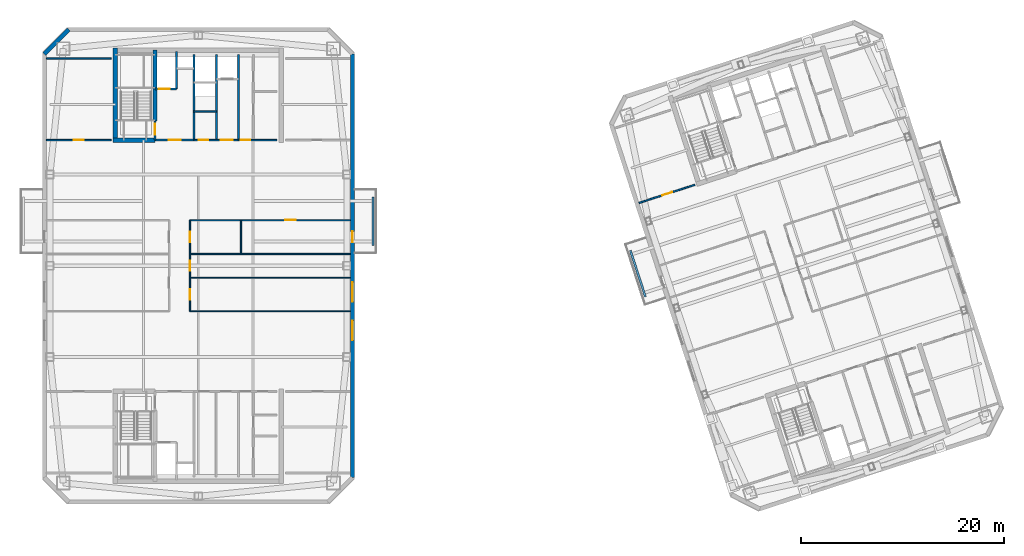
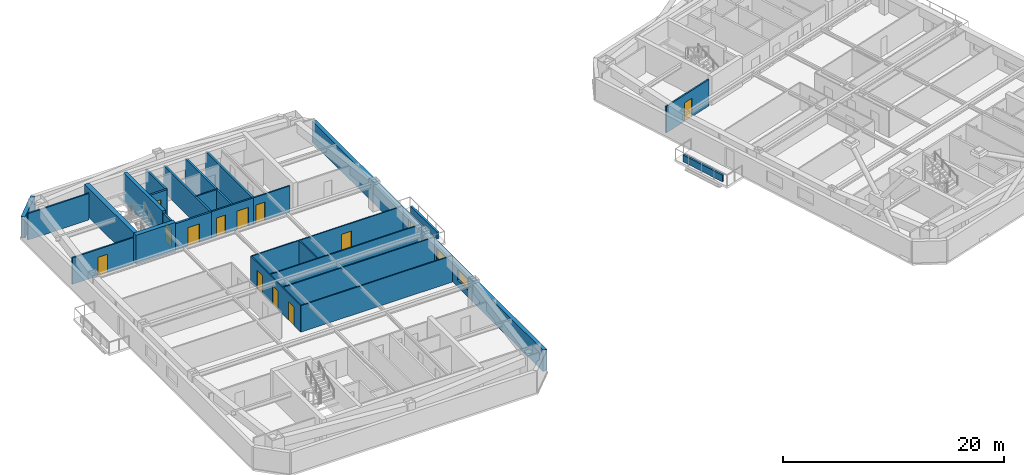
# One storey, part 7 of 16: 26 walls, 13 doors, 2 windows, 15 openings.
"""IFC4 building model written with IfcOpenShell, lengths in metres."""

from ifc_helpers import new_model, si_unit, direction, frame, frame_2d, origin, place, context, subcontext, project, spatial, rectangle, extrude, material, layer, layer_set, type_object, element, fill, save


model = new_model("IFC4")

# Units and contexts
model_context = context("Model", 3, precision=1e-05, world=origin(), true_north=direction((0.0, 1.0)))
body_context = subcontext(model_context, "Body", "Model", "MODEL_VIEW")
ifc_project = project(units=[si_unit("LENGTHUNIT", "METRE"), si_unit("AREAUNIT", "SQUARE_METRE"), si_unit("VOLUMEUNIT", "CUBIC_METRE"), si_unit("PLANEANGLEUNIT", "RADIAN"), si_unit("MASSUNIT", "GRAM", prefix="KILO")], contexts=[model_context])

# Site, building, storey
site_placement = place(None, origin())
site = spatial("IfcSite", under=ifc_project, at=site_placement, CompositionType="ELEMENT")
building_placement = place(site_placement, origin())
building = spatial("IfcBuilding", under=site, at=building_placement, Name="Qiaolan Cultural Towers", CompositionType="ELEMENT")
storey_placement = place(building_placement, frame((0.0, 0.0, 240.800048828125)))
storey = spatial("IfcBuildingStorey", under=building, at=storey_placement, Name="L65", CompositionType="ELEMENT", Elevation=240.800048828125)

# Walls
ifc_material_1 = material(Name="Concrete C50", Category="concrete")
ifc_layer_1 = layer(ifc_material_1, 0.35009765625)
ifc_layer_set_1 = layer_set([ifc_layer_1], Name="Concrete C50")
wall_type_1 = type_object("IfcWallType", Name="WL-CORE-350", PredefinedType="SHEAR", material=ifc_layer_set_1)
wall_1_placement = place(storey_placement, frame((25.719970703125, 48.300048828125, 0.0), z_axis=(0.0, 0.0, 1.0), x_axis=(0.0, 1.0, 0.0)))
element("IfcWall", 1, at=wall_1_placement, inside=storey, type_object=wall_type_1, Name="L65 T1-CN Stair Core Dividing Web", PredefinedType="SHEAR", context=body_context, shape_type="SweptSolid", body=[
    extrude(rectangle(XDim=6.97998046875, YDim=0.35009765625, at=frame_2d((3.489990234375, 0.0))), origin(), (0.0, 0.0, 1.0), 3.199951171875),
])
ifc_material_2 = material(Name="Concrete C50", Category="concrete")
ifc_layer_2 = layer(ifc_material_2, 0.449951171875)
ifc_layer_set_2 = layer_set([ifc_layer_2], Name="Concrete C50")
wall_type_2 = type_object("IfcWallType", Name="WL-CORE-450", PredefinedType="SHEAR", material=ifc_layer_set_2)
wall_2_placement = place(storey_placement, frame((21.800048828125, 46.175048828125, 0.0), z_axis=(0.0, 0.0, 1.0), x_axis=(0.0, 1.0, 0.0)))
element("IfcWall", 2, at=wall_2_placement, inside=storey, type_object=wall_type_2, Name="L65 T1-CN West Core Shear Wall", PredefinedType="SHEAR", context=body_context, shape_type="SweptSolid", body=[
    extrude(rectangle(XDim=9.329833984375, YDim=0.449951171875, at=frame_2d((4.6650390625, 0.0))), origin(), (0.0, 0.0, 1.0), 3.199951171875),
])
wall_3_placement = place(storey_placement, frame((21.574951171875, 46.39990234375, 0.0), z_axis=(0.0, 0.0, 1.0), x_axis=(1.0, 0.0, 0.0)))
element("IfcWall", 3, at=wall_3_placement, inside=storey, type_object=wall_type_2, Name="L65 T1-CN Stair Front Shear Wall", PredefinedType="SHEAR", context=body_context, shape_type="SweptSolid", body=[
    extrude(rectangle(XDim=4.14501953125, YDim=0.449951171875, at=frame_2d((2.072509765625, 0.0))), origin(), (0.0, 0.0, 1.0), 3.199951171875),
])
ifc_material_3 = material(Name="Precast Concrete C50 Honed Stone Pier", Category="masonry")
ifc_layer_3 = layer(ifc_material_3, 0.39990234375)
ifc_layer_set_3 = layer_set([ifc_layer_3], Name="Precast Concrete C50 Honed Stone Pier")
wall_type_3 = type_object("IfcWallType", Name="WL-EXT-PIER-400", PredefinedType="SOLIDWALL", material=ifc_layer_set_3)
wall_4_placement = place(storey_placement, frame((14.800048828125, 54.89990234375, 0.0), z_axis=(0.0, 0.0, 1.0), x_axis=(0.707070815327, 0.707142745217, 0.0)))
element("IfcWall", 4, at=wall_4_placement, inside=storey, type_object=wall_type_3, Name="L65 West Tower Precast Pier Facade Wall F2", PredefinedType="SOLIDWALL", context=body_context, shape_type="SweptSolid", body=[
    extrude(rectangle(XDim=3.39404296875, YDim=0.39990234375, at=frame_2d((1.697021484375, 0.0))), origin(), (0.0, 0.0, 1.0), 2.35986328125),
])

# Wall, openings, door, windows
wall_5_placement = place(storey_placement, frame((45.199951171875, 54.89990234375, 0.0), z_axis=(0.0, 0.0, 1.0), x_axis=(0.0, -1.0, 0.0)))
wall_5 = element("IfcWall", 5, at=wall_5_placement, inside=storey, type_object=wall_type_3, Name="L65 West Tower Precast Pier Facade Wall F5", PredefinedType="SOLIDWALL", context=body_context, shape_type="SweptSolid", body=[
    extrude(rectangle(XDim=41.7998046875, YDim=0.39990234375, at=frame_2d((20.89990234375, 0.0))), origin(), (0.0, 0.0, 1.0), 2.35986328125),
])
opening_1_placement = place(wall_5_placement, frame((26.324951171875, 0.0, 0.75)))
opening_1 = element("IfcOpeningElement", 6, at=opening_1_placement, cuts=wall_5, Name="Opening W-06", PredefinedType="OPENING", context=body_context, shape_type="SweptSolid", body=[
    extrude(rectangle(XDim=1.949951171875, YDim=1.2099609375, at=frame_2d((0.97509765625, 0.60498046875))), frame((0.0, 0.2099609375, 0.0), z_axis=(0.0, -1.0, 0.0), x_axis=(1.0, 0.0, 0.0)), (0.0, 0.0, 1.0), 0.419921875),
])
opening_2_placement = place(wall_5_placement, frame((22.52490234375, 0.0, 0.75)))
opening_2 = element("IfcOpeningElement", 7, at=opening_2_placement, cuts=wall_5, Name="Opening W-06", PredefinedType="OPENING", context=body_context, shape_type="SweptSolid", body=[
    extrude(rectangle(XDim=1.949951171875, YDim=1.2099609375, at=frame_2d((0.97509765625, 0.60498046875))), frame((0.0, 0.2099609375, 0.0), z_axis=(0.0, -1.0, 0.0), x_axis=(1.0, 0.0, 0.0)), (0.0, 0.0, 1.0), 0.419921875),
])
opening_3_placement = place(wall_5_placement, frame((17.5, 0.0, 0.0)))
opening_3 = element("IfcOpeningElement", 8, at=opening_3_placement, cuts=wall_5, Name="Opening BD-01", PredefinedType="OPENING", context=body_context, shape_type="SweptSolid", body=[
    extrude(rectangle(XDim=1.10009765625, YDim=2.14990234375, at=frame_2d((0.550048828125, 1.074951171875))), frame((0.0, 0.2099609375, 0.0), z_axis=(0.0, -1.0, 0.0), x_axis=(1.0, 0.0, 0.0)), (0.0, 0.0, 1.0), 0.419921875),
])
ifc_material_4 = material(Name="Thermally Broken Aluminium Glazed Terrace Door", Category="aluminium")
door_type_1 = type_object("IfcDoorType", Name="DR-BAL-1100", OperationType="NOTDEFINED", PredefinedType="DOOR", material=ifc_material_4)
door_1_placement = place(opening_3_placement, origin())
door_1 = element("IfcDoor", 9, at=door_1_placement, inside=storey, type_object=door_type_1, Name="L65 T1 East Tree Balcony Door", OperationType="SINGLE_SWING_RIGHT", OverallHeight=2.14990234375, OverallWidth=1.10009765625, PredefinedType="DOOR", context=body_context, shape_type="SweptSolid", body=[
    extrude(rectangle(XDim=1.10009765625, YDim=2.14990234375, at=frame_2d((0.550048828125, 1.074951171875))), frame((0.0, 0.02490234375, 0.0), z_axis=(0.0, -1.0, 0.0), x_axis=(1.0, 0.0, 0.0)), (0.0, 0.0, 1.0), 0.050048828125),
])
fill(opening_3, door_1)
ifc_material_5 = material(Name="Thermally Broken Aluminium Triple Low-E Glazing", Category="aluminium")
window_type = type_object("IfcWindowType", Name="WN-CHIC-1950", PartitioningType="SINGLE_PANEL", PredefinedType="WINDOW", material=ifc_material_5)
window_1_placement = place(opening_1_placement, origin())
window_1 = element("IfcWindow", 10, at=window_1_placement, inside=storey, type_object=window_type, Name="L65 T1 E Chicago Bay Window 1", OverallHeight=1.2099609375, OverallWidth=1.949951171875, PartitioningType="TRIPLE_PANEL_VERTICAL", PredefinedType="WINDOW", context=body_context, shape_type="SweptSolid", body=[
    extrude(rectangle(XDim=1.949951171875, YDim=1.2099609375, at=frame_2d((0.97509765625, 0.60498046875))), frame((0.0, 0.030029296875, 0.0), z_axis=(0.0, -1.0, 0.0), x_axis=(1.0, 0.0, 0.0)), (0.0, 0.0, 1.0), 0.06005859375),
])
fill(opening_1, window_1)
window_2_placement = place(opening_2_placement, origin())
window_2 = element("IfcWindow", 11, at=window_2_placement, inside=storey, type_object=window_type, Name="L65 T1 E Chicago Bay Window 2", OverallHeight=1.2099609375, OverallWidth=1.949951171875, PartitioningType="TRIPLE_PANEL_VERTICAL", PredefinedType="WINDOW", context=body_context, shape_type="SweptSolid", body=[
    extrude(rectangle(XDim=1.949951171875, YDim=1.2099609375, at=frame_2d((0.97509765625, 0.60498046875))), frame((0.0, 0.030029296875, 0.0), z_axis=(0.0, -1.0, 0.0), x_axis=(1.0, 0.0, 0.0)), (0.0, 0.0, 1.0), 0.06005859375),
])
fill(opening_2, window_2)

# Wall, opening, door
ifc_material_6 = material(Name="Concrete C35 Fire Wall", Category="concrete")
ifc_layer_4 = layer(ifc_material_6, 0.199951171875)
ifc_layer_set_4 = layer_set([ifc_layer_4], Name="Concrete C35 Fire Wall")
wall_type_4 = type_object("IfcWallType", Name="WL-FIRE-200", PredefinedType="PARTITIONING", material=ifc_layer_set_4)
wall_6_placement = place(storey_placement, frame((25.719970703125, 46.39990234375, 0.0), z_axis=(0.0, 0.0, 1.0), x_axis=(0.0, 1.0, 0.0)))
wall_6 = element("IfcWall", 12, at=wall_6_placement, inside=storey, type_object=wall_type_4, Name="L65 T1-CN Smokeproof Stair Entry Wall", PredefinedType="PARTITIONING", context=body_context, shape_type="SweptSolid", body=[
    extrude(rectangle(XDim=1.900146484375, YDim=0.199951171875, at=frame_2d((0.9501953125, 0.0))), origin(), (0.0, 0.0, 1.0), 2.925048828125),
])
opening_4_placement = place(wall_6_placement, frame((0.52001953125, 0.0, 0.0)))
opening_4 = element("IfcOpeningElement", 13, at=opening_4_placement, cuts=wall_6, Name="Opening FD-04", PredefinedType="OPENING", context=body_context, shape_type="SweptSolid", body=[
    extrude(rectangle(XDim=1.10009765625, YDim=2.050048828125, at=frame_2d((0.550048828125, 1.02490234375))), frame((0.0, 0.10986328125, 0.0), z_axis=(0.0, -1.0, 0.0), x_axis=(1.0, 0.0, 0.0)), (0.0, 0.0, 1.0), 0.219970703125),
])
ifc_material_7 = material(Name="Galvanized Steel Command Fire Door", Category="steel")
door_type_2 = type_object("IfcDoorType", Name="DR-FD90-1100", OperationType="NOTDEFINED", PredefinedType="DOOR", material=ifc_material_7)
door_2_placement = place(opening_4_placement, origin())
door_2 = element("IfcDoor", 14, at=door_2_placement, inside=storey, type_object=door_type_2, Name="L65 ST-W2 Smokeproof Stair Fire Door", OperationType="SINGLE_SWING_LEFT", OverallHeight=2.050048828125, OverallWidth=1.10009765625, PredefinedType="DOOR", context=body_context, shape_type="SweptSolid", body=[
    extrude(rectangle(XDim=1.10009765625, YDim=2.050048828125, at=frame_2d((0.550048828125, 1.02490234375))), frame((0.0, 0.02490234375, 0.0), z_axis=(0.0, -1.0, 0.0), x_axis=(1.0, 0.0, 0.0)), (0.0, 0.0, 1.0), 0.050048828125),
])
fill(opening_4, door_2)

# Wall
wall_7_placement = place(storey_placement, frame((29.550048828125, 46.39990234375, 0.0), z_axis=(0.0, 0.0, 1.0), x_axis=(0.0, 1.0, 0.0)))
element("IfcWall", 15, at=wall_7_placement, inside=storey, type_object=wall_type_4, Name="L65 T1-CN Firefighting Zone Wall", PredefinedType="PARTITIONING", context=body_context, shape_type="SweptSolid", body=[
    extrude(rectangle(XDim=8.43017578125, YDim=0.199951171875, at=frame_2d((4.215087890625, 0.0))), origin(), (0.0, 0.0, 1.0), 2.925048828125),
])

# Wall, opening, door
wall_8_placement = place(storey_placement, frame((25.719970703125, 46.39990234375, 0.0), z_axis=(0.0, 0.0, 1.0), x_axis=(1.0, 0.0, 0.0)))
wall_8 = element("IfcWall", 16, at=wall_8_placement, inside=storey, type_object=wall_type_4, Name="L65 T1-CN Firefighting Lobby Front Wall", PredefinedType="PARTITIONING", context=body_context, shape_type="SweptSolid", body=[
    extrude(rectangle(XDim=3.830078125, YDim=0.199951171875, at=frame_2d((1.9150390625, 0.0))), origin(), (0.0, 0.0, 1.0), 2.925048828125),
])
opening_5_placement = place(wall_8_placement, frame((1.35009765625, 0.0, 0.0)))
opening_5 = element("IfcOpeningElement", 17, at=opening_5_placement, cuts=wall_8, Name="Opening FD-03", PredefinedType="OPENING", context=body_context, shape_type="SweptSolid", body=[
    extrude(rectangle(XDim=1.199951171875, YDim=2.050048828125, at=frame_2d((0.60009765625, 1.02490234375))), frame((0.0, 0.10986328125, 0.0), z_axis=(0.0, -1.0, 0.0), x_axis=(1.0, 0.0, 0.0)), (0.0, 0.0, 1.0), 0.219970703125),
])
ifc_material_8 = material(Name="Galvanized Steel Smokeproof Lobby Fire Door", Category="steel")
door_type_3 = type_object("IfcDoorType", Name="DR-FD90-1200", OperationType="NOTDEFINED", PredefinedType="DOOR", material=ifc_material_8)
door_3_placement = place(opening_5_placement, origin())
door_3 = element("IfcDoor", 18, at=door_3_placement, inside=storey, type_object=door_type_3, Name="L65 FFL-W2 Firefighting Lobby Fire Door", OperationType="SINGLE_SWING_LEFT", OverallHeight=2.050048828125, OverallWidth=1.199951171875, PredefinedType="DOOR", context=body_context, shape_type="SweptSolid", body=[
    extrude(rectangle(XDim=1.199951171875, YDim=2.050048828125, at=frame_2d((0.60009765625, 1.02490234375))), frame((0.0, 0.02490234375, 0.0), z_axis=(0.0, -1.0, 0.0), x_axis=(1.0, 0.0, 0.0)), (0.0, 0.0, 1.0), 0.050048828125),
])
fill(opening_5, door_3)

wall_9_placement = place(storey_placement, frame((25.719970703125, 51.449951171875, 0.0), z_axis=(0.0, 0.0, 1.0), x_axis=(1.0, 0.0, 0.0)))
wall_9 = element("IfcWall", 19, at=wall_9_placement, inside=storey, type_object=wall_type_4, Name="L65 T1-CN Firefighting Shaft Front Wall", PredefinedType="PARTITIONING", context=body_context, shape_type="SweptSolid", body=[
    extrude(rectangle(XDim=2.10009765625, YDim=0.199951171875, at=frame_2d((1.050048828125, 0.0))), origin(), (0.0, 0.0, 1.0), 2.925048828125),
])
opening_6_placement = place(wall_9_placement, frame((0.35009765625, 0.0, 0.0)))
opening_6 = element("IfcOpeningElement", 20, at=opening_6_placement, cuts=wall_9, Name="Opening LD-01", PredefinedType="OPENING", context=body_context, shape_type="SweptSolid", body=[
    extrude(rectangle(XDim=1.10009765625, YDim=2.050048828125, at=frame_2d((0.550048828125, 1.02490234375))), frame((0.0, 0.10986328125, 0.0), z_axis=(0.0, -1.0, 0.0), x_axis=(1.0, 0.0, 0.0)), (0.0, 0.0, 1.0), 0.219970703125),
])
ifc_material_9 = material(Name="Brushed Stainless Steel S30408 Centre-Parting Lift Landing Door", Category="steel")
door_type_4 = type_object("IfcDoorType", Name="DR-LIFT-1100", OperationType="NOTDEFINED", PredefinedType="DOOR", material=ifc_material_9)
door_4_placement = place(opening_6_placement, origin())
door_4 = element("IfcDoor", 21, at=door_4_placement, inside=storey, type_object=door_type_4, Name="L65 FFL-W2 Firefighting Lift Landing Door", OperationType="DOUBLE_DOOR_SLIDING", OverallHeight=2.050048828125, OverallWidth=1.10009765625, PredefinedType="DOOR", context=body_context, shape_type="SweptSolid", body=[
    extrude(rectangle(XDim=1.10009765625, YDim=2.050048828125, at=frame_2d((0.550048828125, 1.02490234375))), frame((0.0, 0.02490234375, 0.0), z_axis=(0.0, -1.0, 0.0), x_axis=(1.0, 0.0, 0.0)), (0.0, 0.0, 1.0), 0.050048828125),
])
fill(opening_6, door_4)

# Walls
wall_10_placement = place(storey_placement, frame((27.820068359375, 51.449951171875, 0.0), z_axis=(0.0, 0.0, 1.0), x_axis=(0.0, 1.0, 0.0)))
element("IfcWall", 22, at=wall_10_placement, inside=storey, type_object=wall_type_4, Name="L65 T1-CN Firefighting Hoistway East Wall", PredefinedType="PARTITIONING", context=body_context, shape_type="SweptSolid", body=[
    extrude(rectangle(XDim=3.699951171875, YDim=0.199951171875, at=frame_2d((1.85009765625, 0.0))), origin(), (0.0, 0.0, 1.0), 2.925048828125),
])
for number, where, z_axis, x_axis, name in (
    (23, (33.949951171875, 46.39990234375, 0.0), (0.0, 0.0, 1.0), (0.0, 1.0, 0.0), "L65 T1-CN Lift Core East Wall"),
    (24, (31.780029296875, 46.39990234375, 0.0), (0.0, 0.0, 1.0), (0.0, 1.0, 0.0), "L65 T1-CN Sky Shuttle Lift Zone Wall"),
):
    element("IfcWall", number, at=place(storey_placement, frame(where, z_axis=z_axis, x_axis=x_axis)), inside=storey, type_object=wall_type_4, Name=name, PredefinedType="PARTITIONING", context=body_context, shape_type="SweptSolid", body=[
        extrude(rectangle(XDim=8.43017578125, YDim=0.199951171875, at=frame_2d((4.215087890625, 0.0))), origin(), (0.0, 0.0, 1.0), 2.925048828125),
    ])
ifc_material_10 = material(Name="Gypsum Stud Acoustic Partition", Category="gypsum")
ifc_layer_5 = layer(ifc_material_10, 0.1201171875)
ifc_layer_set_5 = layer_set([ifc_layer_5], Name="Gypsum Stud Acoustic Partition")
wall_type_5 = type_object("IfcWallType", Name="WL-PART-120", PredefinedType="PARTITIONING", material=ifc_layer_set_5)
wall_11_placement = place(storey_placement, frame((29.175048828125, 29.5, 0.0), z_axis=(0.0, 0.0, 1.0), x_axis=(1.0, 0.0, 0.0)))
element("IfcWall", 25, at=wall_11_placement, inside=storey, type_object=wall_type_5, Name="L65 T1 South Foyer East Wall", PredefinedType="PARTITIONING", context=body_context, shape_type="SweptSolid", body=[
    extrude(rectangle(XDim=15.824951171875, YDim=0.1201171875, at=frame_2d((7.91259765625, 0.0))), origin(), (0.0, 0.0, 1.0), 2.925048828125),
])

# Wall, opening, door
wall_12_placement = place(storey_placement, frame((29.175048828125, 38.5, 0.0), z_axis=(0.0, 0.0, 1.0), x_axis=(1.0, 0.0, 0.0)))
wall_12 = element("IfcWall", 26, at=wall_12_placement, inside=storey, type_object=wall_type_5, Name="L65 T1 North Foyer East Wall", PredefinedType="PARTITIONING", context=body_context, shape_type="SweptSolid", body=[
    extrude(rectangle(XDim=15.824951171875, YDim=0.1201171875, at=frame_2d((7.91259765625, 0.0))), origin(), (0.0, 0.0, 1.0), 2.925048828125),
])
opening_7_placement = place(wall_12_placement, frame((9.385009765625, 0.0, 0.0)))
opening_7 = element("IfcOpeningElement", 27, at=opening_7_placement, cuts=wall_12, Name="Opening ID-07", PredefinedType="OPENING", context=body_context, shape_type="SweptSolid", body=[
    extrude(rectangle(XDim=1.050048828125, YDim=2.050048828125, at=frame_2d((0.52490234375, 1.02490234375))), frame((0.0, 0.070068359375, 0.0), z_axis=(0.0, -1.0, 0.0), x_axis=(1.0, 0.0, 0.0)), (0.0, 0.0, 1.0), 0.14013671875),
])
ifc_material_11 = material(Name="Oak Veneer Consultation Door", Category="timber")
door_type_5 = type_object("IfcDoorType", Name="DR-INT-1050", OperationType="NOTDEFINED", PredefinedType="DOOR", material=ifc_material_11)
door_5_placement = place(opening_7_placement, origin())
door_5 = element("IfcDoor", 28, at=door_5_placement, inside=storey, type_object=door_type_5, Name="L65 T1 Gallery Salon Door", OperationType="SINGLE_SWING_RIGHT", OverallHeight=2.050048828125, OverallWidth=1.050048828125, PredefinedType="DOOR", context=body_context, shape_type="SweptSolid", body=[
    extrude(rectangle(XDim=1.050048828125, YDim=2.050048828125, at=frame_2d((0.52490234375, 1.02490234375))), frame((0.0, 0.02490234375, 0.0), z_axis=(0.0, -1.0, 0.0), x_axis=(1.0, 0.0, 0.0)), (0.0, 0.0, 1.0), 0.050048828125),
])
fill(opening_7, door_5)

# Wall, openings, doors
wall_13_placement = place(storey_placement, frame((29.175048828125, 29.5, 0.0), z_axis=(0.0, 0.0, 1.0), x_axis=(0.0, 1.0, 0.0)))
wall_13 = element("IfcWall", 29, at=wall_13_placement, inside=storey, type_object=wall_type_5, Name="L65 T1 Central Spine East Wall", PredefinedType="PARTITIONING", context=body_context, shape_type="SweptSolid", body=[
    extrude(rectangle(XDim=9.0, YDim=0.1201171875, at=frame_2d((4.5, 0.0))), origin(), (0.0, 0.0, 1.0), 2.925048828125),
])
opening_8_placement = place(wall_13_placement, frame((1.1650390625, 0.0, 0.0)))
opening_8 = element("IfcOpeningElement", 30, at=opening_8_placement, cuts=wall_13, Name="Opening ID-04", PredefinedType="OPENING", context=body_context, shape_type="SweptSolid", body=[
    extrude(rectangle(XDim=1.0, YDim=2.050048828125, at=frame_2d((0.5, 1.02490234375))), frame((0.0, 0.070068359375, 0.0), z_axis=(0.0, -1.0, 0.0), x_axis=(1.0, 0.0, 0.0)), (0.0, 0.0, 1.0), 0.14013671875),
])
opening_9_placement = place(wall_13_placement, frame((4.0, 0.0, 0.0)))
opening_9 = element("IfcOpeningElement", 31, at=opening_9_placement, cuts=wall_13, Name="Opening ID-04", PredefinedType="OPENING", context=body_context, shape_type="SweptSolid", body=[
    extrude(rectangle(XDim=1.0, YDim=2.050048828125, at=frame_2d((0.5, 1.02490234375))), frame((0.0, 0.070068359375, 0.0), z_axis=(0.0, -1.0, 0.0), x_axis=(1.0, 0.0, 0.0)), (0.0, 0.0, 1.0), 0.14013671875),
])
opening_10_placement = place(wall_13_placement, frame((6.8349609375, 0.0, 0.0)))
opening_10 = element("IfcOpeningElement", 32, at=opening_10_placement, cuts=wall_13, Name="Opening ID-04", PredefinedType="OPENING", context=body_context, shape_type="SweptSolid", body=[
    extrude(rectangle(XDim=1.0, YDim=2.050048828125, at=frame_2d((0.5, 1.02490234375))), frame((0.0, 0.070068359375, 0.0), z_axis=(0.0, -1.0, 0.0), x_axis=(1.0, 0.0, 0.0)), (0.0, 0.0, 1.0), 0.14013671875),
])
ifc_material_12 = material(Name="Oak Veneer Acoustic Office Door", Category="timber")
door_type_6 = type_object("IfcDoorType", Name="DR-INT-1000", OperationType="NOTDEFINED", PredefinedType="DOOR", material=ifc_material_12)
door_6_placement = place(opening_8_placement, origin())
door_6 = element("IfcDoor", 33, at=door_6_placement, inside=storey, type_object=door_type_6, Name="L65 T1 Wellness Advisory Room Door", OperationType="SINGLE_SWING_RIGHT", OverallHeight=2.050048828125, OverallWidth=1.0, PredefinedType="DOOR", context=body_context, shape_type="SweptSolid", body=[
    extrude(rectangle(XDim=1.0, YDim=2.050048828125, at=frame_2d((0.5, 1.02490234375))), frame((0.0, 0.02490234375, 0.0), z_axis=(0.0, -1.0, 0.0), x_axis=(1.0, 0.0, 0.0)), (0.0, 0.0, 1.0), 0.050048828125),
])
fill(opening_8, door_6)
door_7_placement = place(opening_9_placement, origin())
door_7 = element("IfcDoor", 34, at=door_7_placement, inside=storey, type_object=door_type_6, Name="L65 T1 Art Edition Shop Door", OperationType="SINGLE_SWING_LEFT", OverallHeight=2.050048828125, OverallWidth=1.0, PredefinedType="DOOR", context=body_context, shape_type="SweptSolid", body=[
    extrude(rectangle(XDim=1.0, YDim=2.050048828125, at=frame_2d((0.5, 1.02490234375))), frame((0.0, 0.02490234375, 0.0), z_axis=(0.0, -1.0, 0.0), x_axis=(1.0, 0.0, 0.0)), (0.0, 0.0, 1.0), 0.050048828125),
])
fill(opening_9, door_7)
door_8_placement = place(opening_10_placement, origin())
door_8 = element("IfcDoor", 35, at=door_8_placement, inside=storey, type_object=door_type_6, Name="L65 T1 Private Kitchen Door", OperationType="SINGLE_SWING_LEFT", OverallHeight=2.050048828125, OverallWidth=1.0, PredefinedType="DOOR", context=body_context, shape_type="SweptSolid", body=[
    extrude(rectangle(XDim=1.0, YDim=2.050048828125, at=frame_2d((0.5, 1.02490234375))), frame((0.0, 0.02490234375, 0.0), z_axis=(0.0, -1.0, 0.0), x_axis=(1.0, 0.0, 0.0)), (0.0, 0.0, 1.0), 0.050048828125),
])
fill(opening_10, door_8)

# Walls
for number, where, z_axis, x_axis, name in (
    (36, (29.175048828125, 32.830078125, 0.0), (0.0, 0.0, 1.0), (1.0, 0.0, 0.0), "L65 T1 Interior Wall"),
    (37, (29.175048828125, 35.169921875, 0.0), (0.0, 0.0, 1.0), (1.0, 0.0, 0.0), "L65 T1 Interior Wall"),
):
    element("IfcWall", number, at=place(storey_placement, frame(where, z_axis=z_axis, x_axis=x_axis)), inside=storey, type_object=wall_type_5, Name=name, PredefinedType="PARTITIONING", context=body_context, shape_type="SweptSolid", body=[
        extrude(rectangle(XDim=15.824951171875, YDim=0.1201171875, at=frame_2d((7.91259765625, 0.0))), origin(), (0.0, 0.0, 1.0), 2.925048828125),
    ])
wall_14_placement = place(storey_placement, frame((34.199951171875, 35.169921875, 0.0), z_axis=(0.0, 0.0, 1.0), x_axis=(0.0, 1.0, 0.0)))
element("IfcWall", 38, at=wall_14_placement, inside=storey, type_object=wall_type_5, Name="L65 T1 Interior Wall", PredefinedType="PARTITIONING", context=body_context, shape_type="SweptSolid", body=[
    extrude(rectangle(XDim=3.330078125, YDim=0.1201171875, at=frame_2d((1.6650390625, 0.0))), origin(), (0.0, 0.0, 1.0), 2.925048828125),
])

# Wall, openings, doors
ifc_material_13 = material(Name="Autoclaved Aerated Concrete Block B06", Category="concrete")
ifc_layer_6 = layer(ifc_material_13, 0.14990234375)
ifc_layer_set_6 = layer_set([ifc_layer_6], Name="Autoclaved Aerated Concrete Block B06")
wall_type_6 = type_object("IfcWallType", Name="WL-PART-150", PredefinedType="PARTITIONING", material=ifc_layer_set_6)
wall_15_placement = place(storey_placement, frame((29.550048828125, 46.39990234375, 0.0), z_axis=(0.0, 0.0, 1.0), x_axis=(1.0, 0.0, 0.0)))
wall_15 = element("IfcWall", 39, at=wall_15_placement, inside=storey, type_object=wall_type_6, Name="L65 T1-CN High-Zone Lift Lobby Wall", PredefinedType="PARTITIONING", context=body_context, shape_type="SweptSolid", body=[
    extrude(rectangle(XDim=4.39990234375, YDim=0.14990234375, at=frame_2d((2.199951171875, 0.0))), origin(), (0.0, 0.0, 1.0), 2.925048828125),
])
opening_11_placement = place(wall_15_placement, frame((0.5, 0.0, 0.0)))
opening_11 = element("IfcOpeningElement", 40, at=opening_11_placement, cuts=wall_15, Name="Opening ID-05", PredefinedType="OPENING", context=body_context, shape_type="SweptSolid", body=[
    extrude(rectangle(XDim=0.949951171875, YDim=2.050048828125, at=frame_2d((0.47509765625, 1.02490234375))), frame((0.0, 0.0849609375, 0.0), z_axis=(0.0, -1.0, 0.0), x_axis=(1.0, 0.0, 0.0)), (0.0, 0.0, 1.0), 0.169921875),
])
opening_12_placement = place(wall_15_placement, frame((2.64990234375, 0.0, 0.0)))
opening_12 = element("IfcOpeningElement", 41, at=opening_12_placement, cuts=wall_15, Name="Opening FD-06", PredefinedType="OPENING", context=body_context, shape_type="SweptSolid", body=[
    extrude(rectangle(XDim=1.199951171875, YDim=2.050048828125, at=frame_2d((0.60009765625, 1.02490234375))), frame((0.0, 0.0849609375, 0.0), z_axis=(0.0, -1.0, 0.0), x_axis=(1.0, 0.0, 0.0)), (0.0, 0.0, 1.0), 0.169921875),
])
ifc_material_14 = material(Name="Painted Steel Plant Fire Door", Category="steel")
door_type_7 = type_object("IfcDoorType", Name="DR-FD60-1200", OperationType="NOTDEFINED", PredefinedType="DOOR", material=ifc_material_14)
door_9_placement = place(opening_12_placement, origin())
door_9 = element("IfcDoor", 42, at=door_9_placement, inside=storey, type_object=door_type_7, Name="L65 Sky Shuttle Lift Lobby Door", OperationType="SINGLE_SWING_RIGHT", OverallHeight=2.050048828125, OverallWidth=1.199951171875, PredefinedType="DOOR", context=body_context, shape_type="SweptSolid", body=[
    extrude(rectangle(XDim=1.199951171875, YDim=2.050048828125, at=frame_2d((0.60009765625, 1.02490234375))), frame((0.0, 0.02490234375, 0.0), z_axis=(0.0, -1.0, 0.0), x_axis=(1.0, 0.0, 0.0)), (0.0, 0.0, 1.0), 0.050048828125),
])
fill(opening_12, door_9)
ifc_material_15 = material(Name="Fire-Rated Laminate Accessible Core Door", Category="timber")
door_type_8 = type_object("IfcDoorType", Name="DR-INT-950", OperationType="NOTDEFINED", PredefinedType="DOOR", material=ifc_material_15)
door_10_placement = place(opening_11_placement, origin())
door_10 = element("IfcDoor", 43, at=door_10_placement, inside=storey, type_object=door_type_8, Name="L65 Reclaimed Server Room Door", OperationType="SINGLE_SWING_LEFT", OverallHeight=2.050048828125, OverallWidth=0.949951171875, PredefinedType="DOOR", context=body_context, shape_type="SweptSolid", body=[
    extrude(rectangle(XDim=0.949951171875, YDim=2.050048828125, at=frame_2d((0.47509765625, 1.02490234375))), frame((0.0, 0.02490234375, 0.0), z_axis=(0.0, -1.0, 0.0), x_axis=(1.0, 0.0, 0.0)), (0.0, 0.0, 1.0), 0.050048828125),
])
fill(opening_11, door_10)

# Wall
wall_16_placement = place(storey_placement, frame((29.550048828125, 49.199951171875, 0.0), z_axis=(0.0, 0.0, 1.0), x_axis=(1.0, 0.0, 0.0)))
element("IfcWall", 44, at=wall_16_placement, inside=storey, type_object=wall_type_6, Name="L65 T1-CN High-Zone Reclaimed Split 1", PredefinedType="PARTITIONING", context=body_context, shape_type="SweptSolid", body=[
    extrude(rectangle(XDim=2.22998046875, YDim=0.14990234375, at=frame_2d((1.114990234375, 0.0))), origin(), (0.0, 0.0, 1.0), 2.925048828125),
])

# Wall, opening, door
wall_17_placement = place(storey_placement, frame((33.949951171875, 46.39990234375, 0.0), z_axis=(0.0, 0.0, 1.0), x_axis=(1.0, 0.0, 0.0)))
wall_17 = element("IfcWall", 45, at=wall_17_placement, inside=storey, type_object=wall_type_6, Name="L65 T1-CN Sanitary Core Front Wall", PredefinedType="PARTITIONING", context=body_context, shape_type="SweptSolid", body=[
    extrude(rectangle(XDim=3.800048828125, YDim=0.14990234375, at=frame_2d((1.89990234375, 0.0))), origin(), (0.0, 0.0, 1.0), 2.925048828125),
])
opening_13_placement = place(wall_17_placement, frame((0.219970703125, 0.0, 0.0)))
opening_13 = element("IfcOpeningElement", 46, at=opening_13_placement, cuts=wall_17, Name="Opening ID-05", PredefinedType="OPENING", context=body_context, shape_type="SweptSolid", body=[
    extrude(rectangle(XDim=0.949951171875, YDim=2.050048828125, at=frame_2d((0.47509765625, 1.02490234375))), frame((0.0, 0.0849609375, 0.0), z_axis=(0.0, -1.0, 0.0), x_axis=(1.0, 0.0, 0.0)), (0.0, 0.0, 1.0), 0.169921875),
])
door_11_placement = place(opening_13_placement, origin())
door_11 = element("IfcDoor", 47, at=door_11_placement, inside=storey, type_object=door_type_8, Name="L65 Sanitary Lobby Door", OperationType="SINGLE_SWING_LEFT", OverallHeight=2.050048828125, OverallWidth=0.949951171875, PredefinedType="DOOR", context=body_context, shape_type="SweptSolid", body=[
    extrude(rectangle(XDim=0.949951171875, YDim=2.050048828125, at=frame_2d((0.47509765625, 1.02490234375))), frame((0.0, 0.02490234375, 0.0), z_axis=(0.0, -1.0, 0.0), x_axis=(1.0, 0.0, 0.0)), (0.0, 0.0, 1.0), 0.050048828125),
])
fill(opening_13, door_11)

# Wall
wall_18_placement = place(storey_placement, frame((15.0, 54.449951171875, 0.0), z_axis=(0.0, 0.0, 1.0), x_axis=(1.0, 0.0, 0.0)))
element("IfcWall", 48, at=wall_18_placement, inside=storey, type_object=wall_type_6, Name="L65 T1 Flank Wall FLK-NW", PredefinedType="PARTITIONING", context=body_context, shape_type="SweptSolid", body=[
    extrude(rectangle(XDim=6.39990234375, YDim=0.14990234375, at=frame_2d((3.199951171875, 0.0))), origin(), (0.0, 0.0, 1.0), 2.925048828125),
])

# Wall, opening, door
wall_19_placement = place(storey_placement, frame((15.0, 46.39990234375, 0.0), z_axis=(0.0, 0.0, 1.0), x_axis=(1.0, 0.0, 0.0)))
wall_19 = element("IfcWall", 49, at=wall_19_placement, inside=storey, type_object=wall_type_6, Name="L65 T1 Flank Front FLK-NW", PredefinedType="PARTITIONING", context=body_context, shape_type="SweptSolid", body=[
    extrude(rectangle(XDim=6.39990234375, YDim=0.14990234375, at=frame_2d((3.199951171875, 0.0))), origin(), (0.0, 0.0, 1.0), 2.925048828125),
])
opening_14_placement = place(wall_19_placement, frame((2.68798828125, 0.0, 0.0)))
opening_14 = element("IfcOpeningElement", 50, at=opening_14_placement, cuts=wall_19, Name="Opening ID-04", PredefinedType="OPENING", context=body_context, shape_type="SweptSolid", body=[
    extrude(rectangle(XDim=1.0, YDim=2.050048828125, at=frame_2d((0.5, 1.02490234375))), frame((0.0, 0.0849609375, 0.0), z_axis=(0.0, -1.0, 0.0), x_axis=(1.0, 0.0, 0.0)), (0.0, 0.0, 1.0), 0.169921875),
])
door_12_placement = place(opening_14_placement, origin())
door_12 = element("IfcDoor", 51, at=door_12_placement, inside=storey, type_object=door_type_6, Name="L65 T1 Corner Studio Door", OperationType="SINGLE_SWING_LEFT", OverallHeight=2.050048828125, OverallWidth=1.0, PredefinedType="DOOR", context=body_context, shape_type="SweptSolid", body=[
    extrude(rectangle(XDim=1.0, YDim=2.050048828125, at=frame_2d((0.5, 1.02490234375))), frame((0.0, 0.02490234375, 0.0), z_axis=(0.0, -1.0, 0.0), x_axis=(1.0, 0.0, 0.0)), (0.0, 0.0, 1.0), 0.050048828125),
])
fill(opening_14, door_12)

wall_20_placement = place(storey_placement, frame((73.476318359375, 40.197265625, 0.0), z_axis=(0.0, 0.0, 1.0), x_axis=(0.951059431056, 0.309008023519, 0.0)))
wall_20 = element("IfcWall", 52, at=wall_20_placement, inside=storey, type_object=wall_type_6, Name="L65 T2 Flank Front FLK-NW", PredefinedType="PARTITIONING", context=body_context, shape_type="SweptSolid", body=[
    extrude(rectangle(XDim=5.800048828125, YDim=0.14990234375, at=frame_2d((2.89990234375, 0.0))), origin(), (0.0, 0.0, 1.0), 2.925048828125),
])
opening_15_placement = place(wall_20_placement, frame((2.43603515625, 0.0, 0.0)))
opening_15 = element("IfcOpeningElement", 53, at=opening_15_placement, cuts=wall_20, Name="Opening ID-04", PredefinedType="OPENING", context=body_context, shape_type="SweptSolid", body=[
    extrude(rectangle(XDim=1.0, YDim=2.050048828125, at=frame_2d((0.5, 1.02490234375))), frame((0.0, 0.0849609375, 0.0), z_axis=(0.0, -1.0, 0.0), x_axis=(1.0, 0.0, 0.0)), (0.0, 0.0, 1.0), 0.169921875),
])
door_13_placement = place(opening_15_placement, origin())
door_13 = element("IfcDoor", 54, at=door_13_placement, inside=storey, type_object=door_type_6, Name="L65 T2 Corner Studio Door", OperationType="SINGLE_SWING_LEFT", OverallHeight=2.050048828125, OverallWidth=1.0, PredefinedType="DOOR", context=body_context, shape_type="SweptSolid", body=[
    extrude(rectangle(XDim=1.0, YDim=2.050048828125, at=frame_2d((0.5, 1.02490234375))), frame((0.0, 0.02490234375, 0.0), z_axis=(0.0, -1.0, 0.0), x_axis=(1.0, 0.0, 0.0)), (0.0, 0.0, 1.0), 0.050048828125),
])
fill(opening_15, door_13)

# Walls
ifc_material_16 = material(Name="Precast Concrete C45 Tree Planter Upstand", Category="concrete")
ifc_layer_7 = layer(ifc_material_16, 0.199951171875)
ifc_layer_set_7 = layer_set([ifc_layer_7], Name="Precast Concrete C45 Tree Planter Upstand")
wall_type_7 = type_object("IfcWallType", Name="WL-PLANTER-200", PredefinedType="PARAPET", material=ifc_layer_set_7)
for number, where, z_axis, x_axis, name in (
    (55, (47.25, 36.0, 0.0), (0.0, 0.0, 1.0), (0.0, 1.0, 0.0), "L65 T1 Tree Balcony Soil Planter Box E"),
    (56, (74.117431640625, 30.9423828125, 0.0), (0.0, 0.0, 1.0), (-0.308986014439, 0.951066581729, 0.0), "L65 T2 Tree Balcony Soil Planter Box W"),
):
    element("IfcWall", number, at=place(storey_placement, frame(where, z_axis=z_axis, x_axis=x_axis)), inside=storey, type_object=wall_type_7, Name=name, PredefinedType="PARAPET", context=body_context, shape_type="SweptSolid", body=[
        extrude(rectangle(XDim=4.800048828125, YDim=0.199951171875, at=frame_2d((2.39990234375, 0.0))), origin(), (0.0, 0.0, 1.0), 0.75),
    ])

save(model, "model.ifc")
